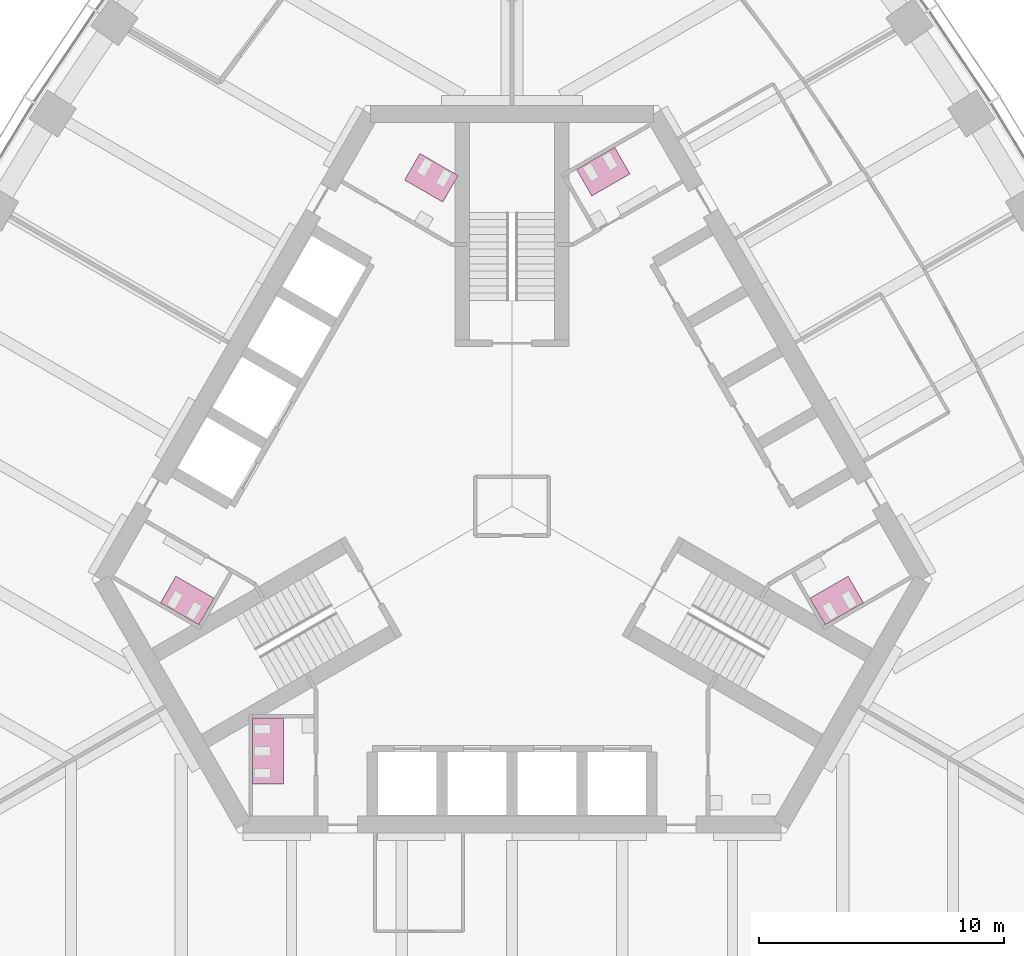
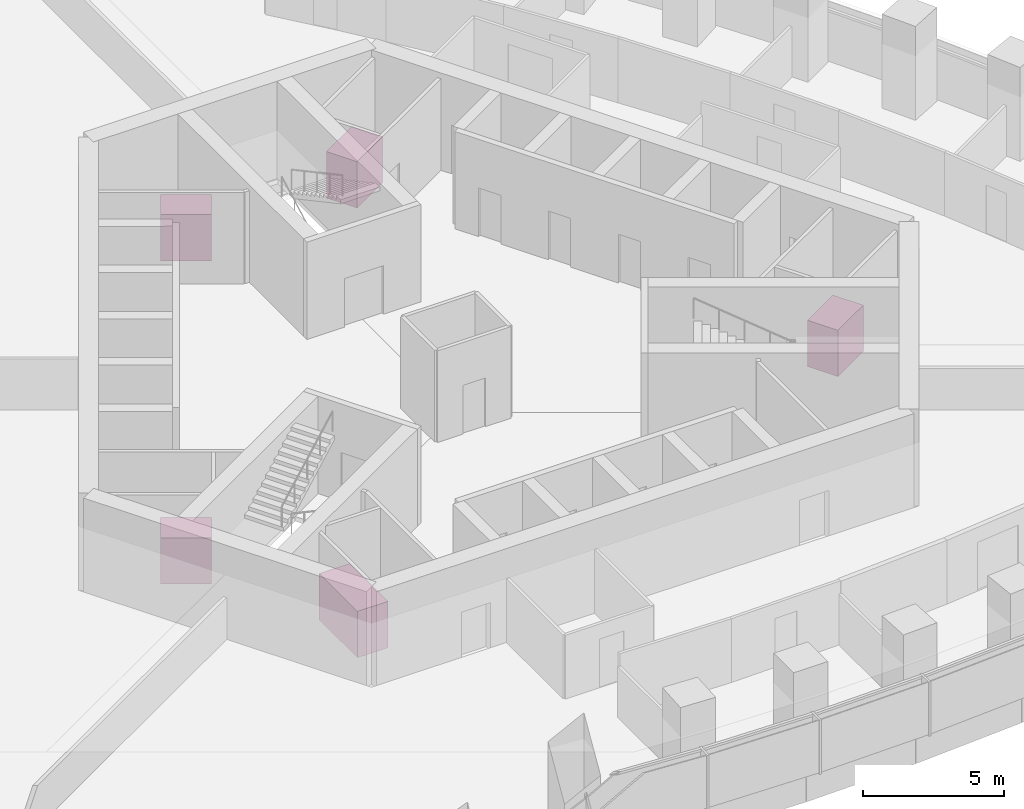
# One storey, part 19 of 19: 5 furniture elements.
"""IFC4 building model written with IfcOpenShell, lengths in metres."""

from ifc_helpers import new_model, si_unit, direction, frame, origin, place, context, subcontext, project, spatial, polyline, outline, extrude, material, type_object, element, save


model = new_model("IFC4")

# Units and contexts
model_context = context("Model", 3, precision=1e-05, world=origin(), true_north=direction((0.0, 1.0)))
body_context = subcontext(model_context, "Body", "Model", "MODEL_VIEW")
ifc_project = project(units=[si_unit("LENGTHUNIT", "METRE"), si_unit("AREAUNIT", "SQUARE_METRE"), si_unit("VOLUMEUNIT", "CUBIC_METRE"), si_unit("PLANEANGLEUNIT", "RADIAN"), si_unit("MASSUNIT", "GRAM", prefix="KILO")], contexts=[model_context])

# Site, building, storey
site_placement = place(None, origin())
site = spatial("IfcSite", under=ifc_project, at=site_placement, CompositionType="ELEMENT")
building_placement = place(site_placement, origin())
building = spatial("IfcBuilding", under=site, at=building_placement, Name="Trefoil Bronze Tower", CompositionType="ELEMENT")
storey_placement = place(building_placement, frame((0.0, 0.0, 261.10009765625)))
storey = spatial("IfcBuildingStorey", under=building, at=storey_placement, Name="L60", CompositionType="ELEMENT", Elevation=261.10009765625)

# Furniture
ifc_material_1 = material(Name="Compact laminate cubicles", Category="plastic")
furniture_type_1 = type_object("IfcFurnitureType", Name="WC cubicle range 2 cubicles", AssemblyPlace="FACTORY", PredefinedType="USERDEFINED", material=ifc_material_1)
furniture_1_placement = place(storey_placement, origin())
element("IfcFurniture", 1, at=furniture_1_placement, inside=storey, type_object=furniture_type_1, Name="WC cubicle range WC (women) L60", ObjectType="WC cubicle range", PredefinedType="USERDEFINED", context=body_context, shape_type="SweptSolid", body=[
    extrude(outline(polyline([(12.15869140625, -3.75927734375), (12.78369140625, -4.841796875), (14.342529296875, -3.94189453125), (13.717529296875, -2.859375), (12.15869140625, -3.75927734375)])), origin(), (0.0, 0.0, 1.0), 2.0),
])
furniture_2_placement = place(storey_placement, origin())
element("IfcFurniture", 2, at=furniture_2_placement, inside=storey, type_object=furniture_type_1, Name="WC cubicle range WC (men) L60", ObjectType="WC cubicle range", PredefinedType="USERDEFINED", context=body_context, shape_type="SweptSolid", body=[
    extrude(outline(polyline([(3.256591796875, 12.659423828125), (2.631591796875, 13.741943359375), (4.1904296875, 14.641845703125), (4.8154296875, 13.559326171875), (3.256591796875, 12.659423828125)])), origin(), (0.0, 0.0, 1.0), 2.0),
])
furniture_3_placement = place(storey_placement, origin())
element("IfcFurniture", 3, at=furniture_3_placement, inside=storey, type_object=furniture_type_1, Name="WC cubicle range WC (women) L60", ObjectType="WC cubicle range", PredefinedType="USERDEFINED", context=body_context, shape_type="SweptSolid", body=[
    extrude(outline(polyline([(-2.82373046875, 12.409423828125), (-2.19873046875, 13.491943359375), (-3.757568359375, 14.391845703125), (-4.382568359375, 13.309326171875), (-2.82373046875, 12.409423828125)])), origin(), (0.0, 0.0, 1.0), 2.0),
])
furniture_4_placement = place(storey_placement, origin())
element("IfcFurniture", 4, at=furniture_4_placement, inside=storey, type_object=furniture_type_1, Name="WC cubicle range WC (men) L60", ObjectType="WC cubicle range", PredefinedType="USERDEFINED", context=body_context, shape_type="SweptSolid", body=[
    extrude(outline(polyline([(-12.15869140625, -3.75927734375), (-12.78369140625, -4.841796875), (-14.342529296875, -3.94189453125), (-13.717529296875, -2.859375), (-12.15869140625, -3.75927734375)])), origin(), (0.0, 0.0, 1.0), 2.0),
])
ifc_material_2 = material(Name="Compact laminate cubicles", Category="plastic")
furniture_type_2 = type_object("IfcFurnitureType", Name="WC cubicle range 3 cubicles", AssemblyPlace="FACTORY", PredefinedType="USERDEFINED", material=ifc_material_2)
furniture_5_placement = place(storey_placement, origin())
element("IfcFurniture", 5, at=furniture_5_placement, inside=storey, type_object=furniture_type_2, Name="WC cubicle range WC (women) L60", ObjectType="WC cubicle range", PredefinedType="USERDEFINED", context=body_context, shape_type="SweptSolid", body=[
    extrude(outline(polyline([(-9.3349609375, -8.64990234375), (-10.5849609375, -8.64990234375), (-10.5849609375, -11.35009765625), (-9.3349609375, -11.35009765625), (-9.3349609375, -8.64990234375)])), origin(), (0.0, 0.0, 1.0), 2.0),
])

save(model, "model.ifc")
